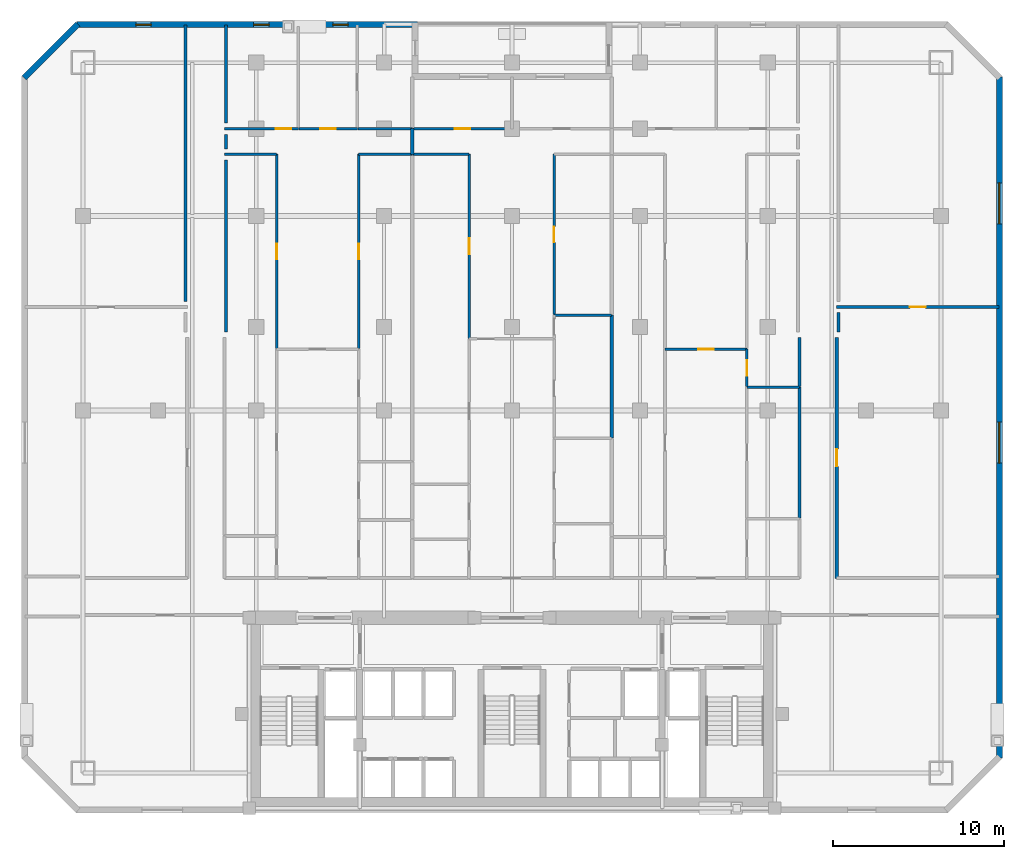
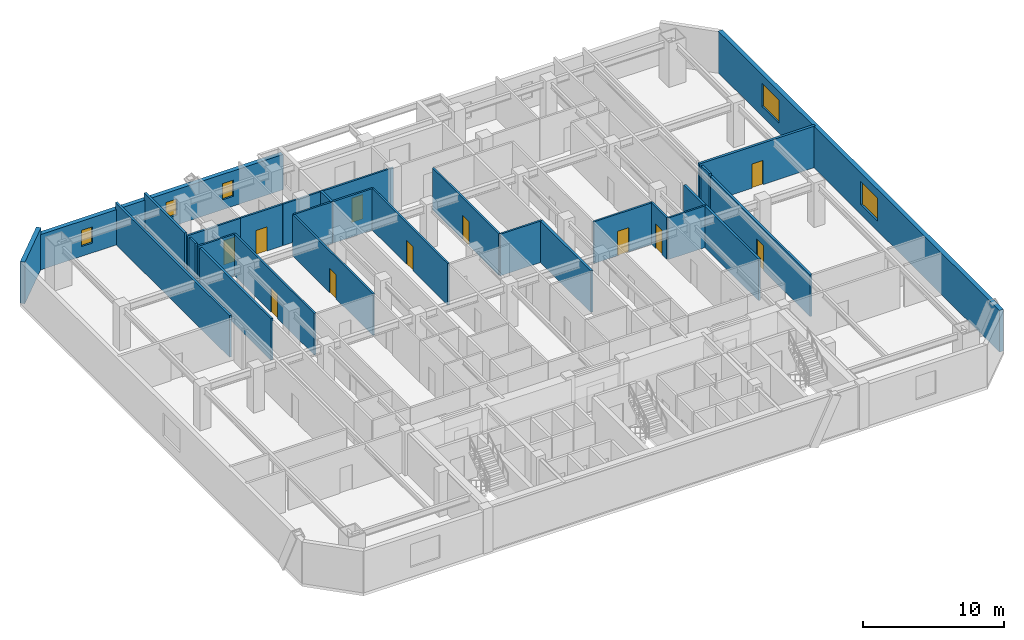
# One storey, part 6 of 9: 29 walls, 11 doors, 5 windows, 16 openings.
"""IFC4 building model written with IfcOpenShell, lengths in metres."""

import ifcopenshell
import ifcopenshell.guid

model = None  # the IFC model being written
_history = None  # IfcOwnerHistory: only IFC2X3 demands one
_inside = {}  # id of a spatial element -> (the spatial element, [elements in it])
_under = {}  # id of a project, library or spatial element -> (it, [spatial elements below it])
_declared = {}  # id of a project -> (the project, [libraries it declares])
_typed = {}  # id of a type object -> (the type object, [elements of that type])
_made_of = {}  # id of a material, layer set ... -> (it, [elements and type objects made of it])


def new_model(schema):
    """Start an empty IFC model of exactly this schema.

    Asked for "IFC4X3", IfcOpenShell would pick the latest addendum, in which some entities
    have other attributes; the version numbers below select the first issue.
    IFC2X3 requires an IfcOwnerHistory on every rooted entity: one is made here for all.
    """
    global model, _history
    if schema == "IFC4X3":
        model = ifcopenshell.file(schema_version=(4, 3, 0, 0))
    else:
        model = ifcopenshell.file(schema=schema)
    _inside.clear()
    _under.clear()
    _declared.clear()
    _typed.clear()
    _made_of.clear()
    _history = None
    if model.schema == "IFC2X3":
        org = make("IfcOrganization", Name="unknown")
        user = make(
            "IfcPersonAndOrganization",
            ThePerson=make("IfcPerson", FamilyName="unknown"),
            TheOrganization=org,
        )
        app = make(
            "IfcApplication",
            ApplicationDeveloper=org,
            Version="unknown",
            ApplicationFullName="unknown",
            ApplicationIdentifier="unknown",
        )
        _history = make(
            "IfcOwnerHistory",
            OwningUser=user,
            OwningApplication=app,
            ChangeAction="ADDED",
            CreationDate=0,
        )
    return model


def make(cls, **values):
    """One entity of the class cls with the attributes given. An attribute that is None is left unset."""
    return model.create_entity(
        cls, **{name: value for name, value in values.items() if value is not None}
    )


def rooted(cls, **values):
    """An entity with a GlobalId (a new one), such as an element, a storey or a relation."""
    return make(cls, GlobalId=ifcopenshell.guid.new(), OwnerHistory=_history, **values)


def si_unit(unit_type, name, prefix=None):
    """IfcSIUnit, for example si_unit("LENGTHUNIT", "METRE", prefix="MILLI")."""
    return make("IfcSIUnit", UnitType=unit_type, Prefix=prefix, Name=name)


def assignment(units):
    """IfcUnitAssignment: the units of a project."""
    return None if units is None else make("IfcUnitAssignment", Units=units)


def point(xyz):
    """IfcCartesianPoint."""
    return None if xyz is None else make("IfcCartesianPoint", Coordinates=xyz)


def direction(xyz):
    """IfcDirection."""
    return None if xyz is None else make("IfcDirection", DirectionRatios=xyz)


def frame(location, z_axis=None, x_axis=None):
    """IfcAxis2Placement3D, a coordinate frame: its origin and axes. An axis left out is left unset."""
    return make(
        "IfcAxis2Placement3D",
        Location=point(location),
        Axis=direction(z_axis),
        RefDirection=direction(x_axis),
    )


def frame_2d(location, x_axis=None):
    """IfcAxis2Placement2D, a coordinate frame in the plane: its origin and x axis."""
    return make(
        "IfcAxis2Placement2D", Location=point(location), RefDirection=direction(x_axis)
    )


def origin():
    """The frame at (0, 0, 0) with its axes left unset."""
    return frame((0.0, 0.0, 0.0))


def place(relative_to, where):
    """IfcLocalPlacement: puts the frame where relative to a parent placement (None: the world)."""
    return make(
        "IfcLocalPlacement", PlacementRelTo=relative_to, RelativePlacement=where
    )


def context(
    kind, dimensions, precision=None, world=None, true_north=None, identifier=None
):
    """IfcGeometricRepresentationContext, for example the 3D "Model" context."""
    return make(
        "IfcGeometricRepresentationContext",
        ContextIdentifier=identifier,
        ContextType=kind,
        CoordinateSpaceDimension=dimensions,
        Precision=precision,
        WorldCoordinateSystem=world,
        TrueNorth=true_north,
    )


def subcontext(parent, identifier, kind, view, scale=None):
    """IfcGeometricRepresentationSubContext, for example "Body" below "Model"."""
    return make(
        "IfcGeometricRepresentationSubContext",
        ContextIdentifier=identifier,
        ContextType=kind,
        ParentContext=parent,
        TargetScale=scale,
        TargetView=view,
    )


def project(units=None, contexts=None):
    """IfcProject with its units and contexts."""
    return rooted(
        "IfcProject",
        Name="project",
        RepresentationContexts=contexts,
        UnitsInContext=assignment(units),
    )


def spatial(cls, under=None, at=None, **own):
    """A site, building, storey or space (cls), placed at a placement, below another one or the project."""
    s = rooted(cls, ObjectPlacement=at, **own)
    if under is not None:
        _under.setdefault(under.id(), (under, []))[1].append(s)
    return s


def profile(cls, at=None, kind="AREA", **sizes):
    """A parametric profile (cls). Its sizes go by their IFC names, for example OverallWidth=200.0."""
    return make(cls, ProfileType=kind, Position=at, **sizes)


def rectangle(**sizes):
    """IfcRectangleProfileDef."""
    return profile("IfcRectangleProfileDef", **sizes)


def extrude(swept, where, along, depth):
    """IfcExtrudedAreaSolid: the profile swept, set in the frame where, extruded along a direction by depth."""
    return make(
        "IfcExtrudedAreaSolid",
        SweptArea=swept,
        Position=where,
        ExtrudedDirection=direction(along),
        Depth=depth,
    )


def shape(context_of_items, identifier, shape_type, items):
    """IfcShapeRepresentation: the items that make up one representation, for example the "Body"."""
    return make(
        "IfcShapeRepresentation",
        ContextOfItems=context_of_items,
        RepresentationIdentifier=identifier,
        RepresentationType=shape_type,
        Items=items,
    )


def material(Name=None, Category=None):
    """IfcMaterial."""
    return make("IfcMaterial", Name=Name, Category=Category)


def layer(
    of_material, thickness, ventilated=None, Name=None, Category=None, Priority=None
):
    """IfcMaterialLayer: one layer of a wall or slab, of a material (None: an air gap)."""
    return make(
        "IfcMaterialLayer",
        Material=of_material,
        LayerThickness=thickness,
        IsVentilated=ventilated,
        Name=Name,
        Category=Category,
        Priority=Priority,
    )


def layer_set(layers, Name=None):
    """IfcMaterialLayerSet."""
    return make("IfcMaterialLayerSet", MaterialLayers=layers, LayerSetName=Name)


def made_of(thing, what):
    """Note that an element or type object is made of a material, layer set ...; save() writes the relation."""
    if what is not None:
        _made_of.setdefault(what.id(), (what, []))[1].append(thing)
    return thing


def type_object(cls, material=None, **own):
    """A type object (cls), such as IfcWallType, which elements share."""
    return made_of(rooted(cls, **own), material)


def element(
    cls,
    number,
    at=None,
    inside=None,
    cuts=None,
    type_object=None,
    material=None,
    context=None,
    identifier="Body",
    shape_type=None,
    held_by="IfcProductDefinitionShape",
    body=None,
    shapes=None,
    **own,
):
    """One element of the class cls, such as IfcWall. Its Tag is "e" and its number.

    at: its placement. inside: the storey or other place that contains it. cuts: it is an
    opening in that element (IfcRelVoidsElement). A single representation is given by context,
    identifier, shape_type and body (its items); several are given by shapes. held_by: the class
    of the entity that holds the representations. save() writes the other relations.
    """
    e = rooted(cls, Tag="e%d" % number, ObjectPlacement=at, **own)
    if body is not None:
        shapes = [shape(context, identifier, shape_type, body)]
    if shapes is not None:
        e.Representation = make(held_by, Representations=shapes)
    if inside is not None:
        _inside.setdefault(inside.id(), (inside, []))[1].append(e)
    if cuts is not None:
        rooted(
            "IfcRelVoidsElement", RelatingBuildingElement=cuts, RelatedOpeningElement=e
        )
    if type_object is not None:
        _typed.setdefault(type_object.id(), (type_object, []))[1].append(e)
    return made_of(e, material)


def fill(opening, filler):
    """IfcRelFillsElement: the door or window that sits in an opening."""
    return rooted(
        "IfcRelFillsElement",
        RelatingOpeningElement=opening,
        RelatedBuildingElement=filler,
    )


def aggregate(whole, parts):
    """IfcRelAggregates: a whole, such as a stair, and the parts it consists of."""
    return rooted("IfcRelAggregates", RelatingObject=whole, RelatedObjects=parts)


def save(model, path):
    """Write the relations noted so far, then the file.

    IfcRelAggregates (storeys below a building ...), IfcRelContainedInSpatialStructure (elements
    in a storey), IfcRelDefinesByType, IfcRelAssociatesMaterial and IfcRelDeclares: one each for
    every whole, place, type object, material and project.
    """
    for whole, parts in _under.values():
        aggregate(whole, parts)
    for where, things in _inside.values():
        rooted(
            "IfcRelContainedInSpatialStructure",
            RelatedElements=things,
            RelatingStructure=where,
        )
    for kind, things in _typed.values():
        rooted("IfcRelDefinesByType", RelatedObjects=things, RelatingType=kind)
    for what, things in _made_of.values():
        rooted("IfcRelAssociatesMaterial", RelatedObjects=things, RelatingMaterial=what)
    for by, libraries in _declared.values():
        rooted("IfcRelDeclares", RelatingContext=by, RelatedDefinitions=libraries)
    model.write(path)


model = new_model("IFC4")

# Units and contexts
model_context = context("Model", 3, precision=1e-05, world=origin(), true_north=direction((0.0, 1.0)))
body_context = subcontext(model_context, "Body", "Model", "MODEL_VIEW")
ifc_project = project(units=[si_unit("LENGTHUNIT", "METRE"), si_unit("AREAUNIT", "SQUARE_METRE"), si_unit("VOLUMEUNIT", "CUBIC_METRE"), si_unit("PLANEANGLEUNIT", "RADIAN"), si_unit("MASSUNIT", "GRAM", prefix="KILO")], contexts=[model_context])

# Site, building, storey
site_placement = place(None, origin())
site = spatial("IfcSite", under=ifc_project, at=site_placement, CompositionType="ELEMENT")
building_placement = place(site_placement, origin())
building = spatial("IfcBuilding", under=site, at=building_placement, Name="Ventersveld Concourse Tower", CompositionType="ELEMENT")
storey_placement = place(building_placement, frame((0.0, 0.0, 52.89990234375)))
storey = spatial("IfcBuildingStorey", under=building, at=storey_placement, Name="L12", CompositionType="ELEMENT", Elevation=52.89990234375)

# Wall, opening, door
ifc_material_1 = material(Name="Fire-rated autoclaved aerated masonry blockwork", Category="masonry")
ifc_layer_1 = layer(ifc_material_1, 0.179931640625)
ifc_layer_set_1 = layer_set([ifc_layer_1], Name="Fire-rated autoclaved aerated masonry blockwork")
wall_type_1 = type_object("IfcWallType", Name="WL-CORR-180", PredefinedType="PARTITIONING", material=ifc_layer_set_1)
wall_1_placement = place(storey_placement, frame((47.7900390625, 13.764892578125, 0.0), z_axis=(0.0, 0.0, 1.0), x_axis=(0.0, 1.0, 0.0)))
wall_1 = element("IfcWall", 1, at=wall_1_placement, inside=storey, type_object=wall_type_1, Name="L12 Interior Partition SP-L12-COR-SP-L12-NELNG1", PredefinedType="PARTITIONING", context=body_context, shape_type="SweptSolid", body=[
    extrude(rectangle(XDim=14.130126953125, YDim=0.179931640625, at=frame_2d((7.06494140625, 0.0))), origin(), (0.0, 0.0, 1.0), 3.60009765625),
])
opening_1_placement = place(wall_1_placement, frame((6.56494140625, 0.0, 0.0)))
opening_1 = element("IfcOpeningElement", 2, at=opening_1_placement, cuts=wall_1, Name="Opening FD3", PredefinedType="OPENING", context=body_context, shape_type="SweptSolid", body=[
    extrude(rectangle(XDim=1.0, YDim=2.14990234375, at=frame_2d((0.5, 1.074951171875))), frame((0.0, 0.10009765625, 0.0), z_axis=(0.0, -1.0, 0.0), x_axis=(1.0, 0.0, 0.0)), (0.0, 0.0, 1.0), 0.199951171875),
])
ifc_material_2 = material(Name="Solid-core hardwood veneer timber", Category="wood")
door_type_1 = type_object("IfcDoorType", Name="DR-FLAT-100", OperationType="NOTDEFINED", PredefinedType="DOOR", material=ifc_material_2)
door_1_placement = place(opening_1_placement, origin())
door_1 = element("IfcDoor", 3, at=door_1_placement, inside=storey, type_object=door_type_1, Name="L12 Interior Door SP-L12-COR to SP-L12-NELNG1 (D-L12-0490)", OperationType="SINGLE_SWING_RIGHT", OverallHeight=2.14990234375, OverallWidth=1.0, PredefinedType="DOOR", context=body_context, shape_type="SweptSolid", body=[
    extrude(rectangle(XDim=1.0, YDim=2.14990234375, at=frame_2d((0.5, 1.074951171875))), frame((0.0, 0.02490234375, 0.0), z_axis=(0.0, -1.0, 0.0), x_axis=(1.0, 0.0, 0.0)), (0.0, 0.0, 1.0), 0.050048828125),
])
fill(opening_1, door_1)

# Walls
wall_2_placement = place(storey_placement, frame((45.610107421875, 17.290283203125, 0.0), z_axis=(0.0, 0.0, 1.0), x_axis=(0.0, 1.0, 0.0)))
element("IfcWall", 4, at=wall_2_placement, inside=storey, type_object=wall_type_1, Name="L12 Interior Partition SP-L12-COR-SP-L12-12CE-MEDR1", PredefinedType="PARTITIONING", context=body_context, shape_type="SweptSolid", body=[
    extrude(rectangle(XDim=7.681396484375, YDim=0.179931640625, at=frame_2d((3.8408203125, 0.0))), origin(), (0.0, 0.0, 1.0), 3.60009765625),
])
wall_3_placement = place(storey_placement, frame((45.610107421875, 25.001708984375, 0.0), z_axis=(0.0, 0.0, 1.0), x_axis=(0.0, 1.0, 0.0)))
element("IfcWall", 5, at=wall_3_placement, inside=storey, type_object=wall_type_1, Name="L12 Interior Partition SP-L12-COR-SP-L12-12CE-DENS", PredefinedType="PARTITIONING", context=body_context, shape_type="SweptSolid", body=[
    extrude(rectangle(XDim=2.893310546875, YDim=0.179931640625, at=frame_2d((1.44677734375, 0.0))), origin(), (0.0, 0.0, 1.0), 3.60009765625),
])
wall_4_placement = place(storey_placement, frame((9.6201171875, 46.18994140625, 0.0), z_axis=(0.0, 0.0, 1.0), x_axis=(0.0, -1.0, 0.0)))
element("IfcWall", 6, at=wall_4_placement, inside=storey, type_object=wall_type_1, Name="L12 Room Enclosure Wall SP-L12-NWLNG2", PredefinedType="PARTITIONING", context=body_context, shape_type="SweptSolid", body=[
    extrude(rectangle(XDim=16.19482421875, YDim=0.179931640625, at=frame_2d((8.097412109375, 0.0))), origin(), (0.0, 0.0, 1.0), 3.60009765625),
])
wall_5_placement = place(storey_placement, frame((47.8798828125, 28.2099609375, 0.0), z_axis=(0.0, 0.0, 1.0), x_axis=(0.0, 1.0, 0.0)))
element("IfcWall", 7, at=wall_5_placement, inside=storey, type_object=wall_type_1, Name="L12 Room Enclosure Wall SP-L12-NELNG1", PredefinedType="PARTITIONING", context=body_context, shape_type="SweptSolid", body=[
    extrude(rectangle(XDim=1.135009765625, YDim=0.179931640625, at=frame_2d((0.5673828125, 0.0))), origin(), (0.0, 0.0, 1.0), 3.60009765625),
])
wall_6_placement = place(storey_placement, frame((11.97998046875, 38.945068359375, 0.0), z_axis=(0.0, 0.0, 1.0), x_axis=(0.0, 1.0, 0.0)))
element("IfcWall", 8, at=wall_6_placement, inside=storey, type_object=wall_type_1, Name="L12 Room Enclosure Wall SP-L12-12CW-LIV", PredefinedType="PARTITIONING", context=body_context, shape_type="SweptSolid", body=[
    extrude(rectangle(XDim=0.849853515625, YDim=0.179931640625, at=frame_2d((0.4248046875, 0.0))), origin(), (0.0, 0.0, 1.0), 3.60009765625),
])
wall_7_placement = place(storey_placement, frame((11.97998046875, 28.2099609375, 0.0), z_axis=(0.0, 0.0, 1.0), x_axis=(0.0, 1.0, 0.0)))
element("IfcWall", 9, at=wall_7_placement, inside=storey, type_object=wall_type_1, Name="L12 Room Enclosure Wall SP-L12-12CW-OFFL0", PredefinedType="PARTITIONING", context=body_context, shape_type="SweptSolid", body=[
    extrude(rectangle(XDim=10.0849609375, YDim=0.179931640625, at=frame_2d((5.04248046875, 0.0))), origin(), (0.0, 0.0, 1.0), 3.60009765625),
])
wall_8_placement = place(storey_placement, frame((11.97998046875, 40.445068359375, 0.0), z_axis=(0.0, 0.0, 1.0), x_axis=(0.0, 1.0, 0.0)))
element("IfcWall", 10, at=wall_8_placement, inside=storey, type_object=wall_type_1, Name="L12 Room Enclosure Wall SP-L12-12CW-BR1", PredefinedType="PARTITIONING", context=body_context, shape_type="SweptSolid", body=[
    extrude(rectangle(XDim=5.744873046875, YDim=0.179931640625, at=frame_2d((2.87255859375, 0.0))), origin(), (0.0, 0.0, 1.0), 3.60009765625),
])

# Wall, opening, door
ifc_layer_2 = layer(ifc_material_1, 0.199951171875)
ifc_layer_set_2 = layer_set([ifc_layer_2], Name="Fire-rated autoclaved aerated masonry blockwork")
wall_type_2 = type_object("IfcWallType", Name="WL-DEMISE-200", PredefinedType="PARTITIONING", material=ifc_layer_set_2)
wall_9_placement = place(storey_placement, frame((47.784912109375, 29.669921875, 0.0), z_axis=(0.0, 0.0, 1.0), x_axis=(1.0, 0.0, 0.0)))
wall_9 = element("IfcWall", 11, at=wall_9_placement, inside=storey, type_object=wall_type_2, Name="L12 Interior Partition SP-L12-NELNG1-SP-L12-NELNG2", PredefinedType="PARTITIONING", context=body_context, shape_type="SweptSolid", body=[
    extrude(rectangle(XDim=9.505126953125, YDim=0.199951171875, at=frame_2d((4.75244140625, 0.0))), origin(), (0.0, 0.0, 1.0), 3.60009765625),
])
opening_2_placement = place(wall_9_placement, frame((4.29248046875, 0.0, 0.0)))
opening_2 = element("IfcOpeningElement", 12, at=opening_2_placement, cuts=wall_9, Name="Opening ID1", PredefinedType="OPENING", context=body_context, shape_type="SweptSolid", body=[
    extrude(rectangle(XDim=0.919921875, YDim=2.10009765625, at=frame_2d((0.4599609375, 1.050048828125))), frame((0.0, 0.10986328125, 0.0), z_axis=(0.0, -1.0, 0.0), x_axis=(1.0, 0.0, 0.0)), (0.0, 0.0, 1.0), 0.219970703125),
])
door_type_2 = type_object("IfcDoorType", Name="DR-ROOM-092", OperationType="NOTDEFINED", PredefinedType="DOOR", material=ifc_material_2)
door_2_placement = place(opening_2_placement, origin())
door_2 = element("IfcDoor", 13, at=door_2_placement, inside=storey, type_object=door_type_2, Name="L12 Interior Door SP-L12-NELNG1 to SP-L12-NELNG2 (D-L12-0495)", OperationType="SINGLE_SWING_LEFT", OverallHeight=2.10009765625, OverallWidth=0.919921875, PredefinedType="DOOR", context=body_context, shape_type="SweptSolid", body=[
    extrude(rectangle(XDim=0.919921875, YDim=2.10009765625, at=frame_2d((0.4599609375, 1.050048828125))), frame((0.0, 0.02490234375, 0.0), z_axis=(0.0, -1.0, 0.0), x_axis=(1.0, 0.0, 0.0)), (0.0, 0.0, 1.0), 0.050048828125),
])
fill(opening_2, door_2)

# Walls
wall_10_placement = place(storey_placement, frame((22.909912109375, 38.614990234375, 0.0), z_axis=(0.0, 0.0, 1.0), x_axis=(0.0, 1.0, 0.0)))
element("IfcWall", 14, at=wall_10_placement, inside=storey, type_object=wall_type_2, Name="L12 Interior Partition SP-L12-12CW-LIV-SP-L12-12CM-LIV", PredefinedType="PARTITIONING", context=body_context, shape_type="SweptSolid", body=[
    extrude(rectangle(XDim=1.510009765625, YDim=0.199951171875, at=frame_2d((0.7548828125, 0.0))), origin(), (0.0, 0.0, 1.0), 3.60009765625),
])
wall_11_placement = place(storey_placement, frame((34.590087890625, 21.99658203125, 0.0), z_axis=(0.0, 0.0, 1.0), x_axis=(0.0, 1.0, 0.0)))
element("IfcWall", 15, at=wall_11_placement, inside=storey, type_object=wall_type_2, Name="L12 Interior Partition SP-L12-12CE-OFFL0-SP-L12-12CM-DENS", PredefinedType="PARTITIONING", context=body_context, shape_type="SweptSolid", body=[
    extrude(rectangle(XDim=7.197021484375, YDim=0.199951171875, at=frame_2d((3.5986328125, 0.0))), origin(), (0.0, 0.0, 1.0), 3.60009765625),
])

# Wall, opening, door
ifc_material_3 = material(Name="Autoclaved aerated masonry blockwork", Category="masonry")
ifc_layer_3 = layer(ifc_material_3, 0.14990234375)
ifc_layer_set_3 = layer_set([ifc_layer_3], Name="Autoclaved aerated masonry blockwork")
wall_type_3 = type_object("IfcWallType", Name="WL-INT-150", PredefinedType="PARTITIONING", material=ifc_layer_set_3)
wall_12_placement = place(storey_placement, frame((14.95166015625, 27.2294921875, 0.0), z_axis=(0.0, 0.0, 1.0), x_axis=(0.0, 1.0, 0.0)))
wall_12 = element("IfcWall", 16, at=wall_12_placement, inside=storey, type_object=wall_type_3, Name="L12 Interior Partition SP-L12-12CW-LIV-SP-L12-12CW-OFFL0", PredefinedType="PARTITIONING", context=body_context, shape_type="SweptSolid", body=[
    extrude(rectangle(XDim=11.3955078125, YDim=0.14990234375, at=frame_2d((5.69775390625, 0.0))), origin(), (0.0, 0.0, 1.0), 3.60009765625),
])
opening_3_placement = place(wall_12_placement, frame((5.23779296875, 0.0, 0.0)))
opening_3 = element("IfcOpeningElement", 17, at=opening_3_placement, cuts=wall_12, Name="Opening ID1", PredefinedType="OPENING", context=body_context, shape_type="SweptSolid", body=[
    extrude(rectangle(XDim=0.919921875, YDim=2.10009765625, at=frame_2d((0.4599609375, 1.050048828125))), frame((0.0, 0.0849609375, 0.0), z_axis=(0.0, -1.0, 0.0), x_axis=(1.0, 0.0, 0.0)), (0.0, 0.0, 1.0), 0.169921875),
])
door_3_placement = place(opening_3_placement, origin())
door_3 = element("IfcDoor", 18, at=door_3_placement, inside=storey, type_object=door_type_2, Name="L12 Interior Door SP-L12-12CW-LIV to SP-L12-12CW-OFFL0 (D-L12-0502)", OperationType="SINGLE_SWING_RIGHT", OverallHeight=2.10009765625, OverallWidth=0.919921875, PredefinedType="DOOR", context=body_context, shape_type="SweptSolid", body=[
    extrude(rectangle(XDim=0.919921875, YDim=2.10009765625, at=frame_2d((0.4599609375, 1.050048828125))), frame((0.0, 0.02490234375, 0.0), z_axis=(0.0, -1.0, 0.0), x_axis=(1.0, 0.0, 0.0)), (0.0, 0.0, 1.0), 0.050048828125),
])
fill(opening_3, door_3)

# Wall
wall_13_placement = place(storey_placement, frame((11.885009765625, 38.6201171875, 0.0), z_axis=(0.0, 0.0, 1.0), x_axis=(1.0, 0.0, 0.0)))
element("IfcWall", 19, at=wall_13_placement, inside=storey, type_object=wall_type_3, Name="L12 Interior Partition SP-L12-12CW-LIV-SP-L12-12CW-OFFL0", PredefinedType="PARTITIONING", context=body_context, shape_type="SweptSolid", body=[
    extrude(rectangle(XDim=3.07177734375, YDim=0.14990234375, at=frame_2d((1.535888671875, 0.0))), origin(), (0.0, 0.0, 1.0), 3.60009765625),
])

# Wall, opening, door
wall_14_placement = place(storey_placement, frame((19.758056640625, 27.2294921875, 0.0), z_axis=(0.0, 0.0, 1.0), x_axis=(0.0, 1.0, 0.0)))
wall_14 = element("IfcWall", 20, at=wall_14_placement, inside=storey, type_object=wall_type_3, Name="L12 Interior Partition SP-L12-12CW-LIV-SP-L12-12CW-DENR", PredefinedType="PARTITIONING", context=body_context, shape_type="SweptSolid", body=[
    extrude(rectangle(XDim=11.3955078125, YDim=0.14990234375, at=frame_2d((5.69775390625, 0.0))), origin(), (0.0, 0.0, 1.0), 3.60009765625),
])
opening_4_placement = place(wall_14_placement, frame((5.23779296875, 0.0, 0.0)))
opening_4 = element("IfcOpeningElement", 21, at=opening_4_placement, cuts=wall_14, Name="Opening ID1", PredefinedType="OPENING", context=body_context, shape_type="SweptSolid", body=[
    extrude(rectangle(XDim=0.919921875, YDim=2.10009765625, at=frame_2d((0.4599609375, 1.050048828125))), frame((0.0, 0.0849609375, 0.0), z_axis=(0.0, -1.0, 0.0), x_axis=(1.0, 0.0, 0.0)), (0.0, 0.0, 1.0), 0.169921875),
])
door_4_placement = place(opening_4_placement, origin())
door_4 = element("IfcDoor", 22, at=door_4_placement, inside=storey, type_object=door_type_2, Name="L12 Interior Door SP-L12-12CW-LIV to SP-L12-12CW-DENR (D-L12-0503)", OperationType="SINGLE_SWING_LEFT", OverallHeight=2.10009765625, OverallWidth=0.919921875, PredefinedType="DOOR", context=body_context, shape_type="SweptSolid", body=[
    extrude(rectangle(XDim=0.919921875, YDim=2.10009765625, at=frame_2d((0.4599609375, 1.050048828125))), frame((0.0, 0.02490234375, 0.0), z_axis=(0.0, -1.0, 0.0), x_axis=(1.0, 0.0, 0.0)), (0.0, 0.0, 1.0), 0.050048828125),
])
fill(opening_4, door_4)

# Wall
wall_15_placement = place(storey_placement, frame((19.753173828125, 38.6201171875, 0.0), z_axis=(0.0, 0.0, 1.0), x_axis=(1.0, 0.0, 0.0)))
element("IfcWall", 23, at=wall_15_placement, inside=storey, type_object=wall_type_3, Name="L12 Interior Partition SP-L12-12CW-LIV-SP-L12-12CW-DENR", PredefinedType="PARTITIONING", context=body_context, shape_type="SweptSolid", body=[
    extrude(rectangle(XDim=3.161865234375, YDim=0.14990234375, at=frame_2d((1.5810546875, 0.0))), origin(), (0.0, 0.0, 1.0), 3.60009765625),
])

# Wall, opening, door
wall_16_placement = place(storey_placement, frame((11.885009765625, 40.1201171875, 0.0), z_axis=(0.0, 0.0, 1.0), x_axis=(1.0, 0.0, 0.0)))
wall_16 = element("IfcWall", 24, at=wall_16_placement, inside=storey, type_object=wall_type_3, Name="L12 Interior Partition SP-L12-12CW-LIV-SP-L12-12CW-BR1", PredefinedType="PARTITIONING", context=body_context, shape_type="SweptSolid", body=[
    extrude(rectangle(XDim=4.33837890625, YDim=0.14990234375, at=frame_2d((2.169189453125, 0.0))), origin(), (0.0, 0.0, 1.0), 3.60009765625),
])
opening_5_placement = place(wall_16_placement, frame((3.010498046875, 0.0, 0.0)))
opening_5 = element("IfcOpeningElement", 25, at=opening_5_placement, cuts=wall_16, Name="Opening ID1", PredefinedType="OPENING", context=body_context, shape_type="SweptSolid", body=[
    extrude(rectangle(XDim=0.919921875, YDim=2.10009765625, at=frame_2d((0.4599609375, 1.050048828125))), frame((0.0, 0.0849609375, 0.0), z_axis=(0.0, -1.0, 0.0), x_axis=(1.0, 0.0, 0.0)), (0.0, 0.0, 1.0), 0.169921875),
])
door_5_placement = place(opening_5_placement, origin())
door_5 = element("IfcDoor", 26, at=door_5_placement, inside=storey, type_object=door_type_2, Name="L12 Interior Door SP-L12-12CW-LIV to SP-L12-12CW-BR1 (D-L12-0504)", OperationType="SINGLE_SWING_RIGHT", OverallHeight=2.10009765625, OverallWidth=0.919921875, PredefinedType="DOOR", context=body_context, shape_type="SweptSolid", body=[
    extrude(rectangle(XDim=0.919921875, YDim=2.10009765625, at=frame_2d((0.4599609375, 1.050048828125))), frame((0.0, 0.02490234375, 0.0), z_axis=(0.0, -1.0, 0.0), x_axis=(1.0, 0.0, 0.0)), (0.0, 0.0, 1.0), 0.050048828125),
])
fill(opening_5, door_5)

wall_17_placement = place(storey_placement, frame((16.25341796875, 40.1201171875, 0.0), z_axis=(0.0, 0.0, 1.0), x_axis=(1.0, 0.0, 0.0)))
wall_17 = element("IfcWall", 27, at=wall_17_placement, inside=storey, type_object=wall_type_3, Name="L12 Interior Partition SP-L12-12CW-LIV-SP-L12-12CW-BR2", PredefinedType="PARTITIONING", context=body_context, shape_type="SweptSolid", body=[
    extrude(rectangle(XDim=3.4248046875, YDim=0.14990234375, at=frame_2d((1.71240234375, 0.0))), origin(), (0.0, 0.0, 1.0), 3.60009765625),
])
opening_6_placement = place(wall_17_placement, frame((1.25244140625, 0.0, 0.0)))
opening_6 = element("IfcOpeningElement", 28, at=opening_6_placement, cuts=wall_17, Name="Opening ID1", PredefinedType="OPENING", context=body_context, shape_type="SweptSolid", body=[
    extrude(rectangle(XDim=0.919921875, YDim=2.10009765625, at=frame_2d((0.4599609375, 1.050048828125))), frame((0.0, 0.0849609375, 0.0), z_axis=(0.0, -1.0, 0.0), x_axis=(1.0, 0.0, 0.0)), (0.0, 0.0, 1.0), 0.169921875),
])
door_6_placement = place(opening_6_placement, origin())
door_6 = element("IfcDoor", 29, at=door_6_placement, inside=storey, type_object=door_type_2, Name="L12 Interior Door SP-L12-12CW-LIV to SP-L12-12CW-BR2 (D-L12-0505)", OperationType="SINGLE_SWING_LEFT", OverallHeight=2.10009765625, OverallWidth=0.919921875, PredefinedType="DOOR", context=body_context, shape_type="SweptSolid", body=[
    extrude(rectangle(XDim=0.919921875, YDim=2.10009765625, at=frame_2d((0.4599609375, 1.050048828125))), frame((0.0, 0.02490234375, 0.0), z_axis=(0.0, -1.0, 0.0), x_axis=(1.0, 0.0, 0.0)), (0.0, 0.0, 1.0), 0.050048828125),
])
fill(opening_6, door_6)

# Wall
wall_18_placement = place(storey_placement, frame((19.708251953125, 40.1201171875, 0.0), z_axis=(0.0, 0.0, 1.0), x_axis=(1.0, 0.0, 0.0)))
element("IfcWall", 30, at=wall_18_placement, inside=storey, type_object=wall_type_3, Name="L12 Interior Partition SP-L12-12CW-LIV-SP-L12-12CW-BR3", PredefinedType="PARTITIONING", context=body_context, shape_type="SweptSolid", body=[
    extrude(rectangle(XDim=3.206787109375, YDim=0.14990234375, at=frame_2d((1.603515625, 0.0))), origin(), (0.0, 0.0, 1.0), 3.60009765625),
])

# Wall, opening, door
wall_19_placement = place(storey_placement, frame((37.71435546875, 27.194580078125, 0.0), z_axis=(0.0, 0.0, 1.0), x_axis=(1.0, 0.0, 0.0)))
wall_19 = element("IfcWall", 31, at=wall_19_placement, inside=storey, type_object=wall_type_3, Name="L12 Interior Partition SP-L12-12CE-FOY-SP-L12-12CE-LIV", PredefinedType="PARTITIONING", context=body_context, shape_type="SweptSolid", body=[
    extrude(rectangle(XDim=4.81640625, YDim=0.14990234375, at=frame_2d((2.408203125, 0.0))), origin(), (0.0, 0.0, 1.0), 3.60009765625),
])
opening_7_placement = place(wall_19_placement, frame((1.9482421875, 0.0, 0.0)))
opening_7 = element("IfcOpeningElement", 32, at=opening_7_placement, cuts=wall_19, Name="Opening ID1", PredefinedType="OPENING", context=body_context, shape_type="SweptSolid", body=[
    extrude(rectangle(XDim=0.919921875, YDim=2.10009765625, at=frame_2d((0.4599609375, 1.050048828125))), frame((0.0, 0.0849609375, 0.0), z_axis=(0.0, -1.0, 0.0), x_axis=(1.0, 0.0, 0.0)), (0.0, 0.0, 1.0), 0.169921875),
])
door_7_placement = place(opening_7_placement, origin())
door_7 = element("IfcDoor", 33, at=door_7_placement, inside=storey, type_object=door_type_2, Name="L12 Interior Door SP-L12-12CE-FOY to SP-L12-12CE-LIV (D-L12-0507)", OperationType="SINGLE_SWING_LEFT", OverallHeight=2.10009765625, OverallWidth=0.919921875, PredefinedType="DOOR", context=body_context, shape_type="SweptSolid", body=[
    extrude(rectangle(XDim=0.919921875, YDim=2.10009765625, at=frame_2d((0.4599609375, 1.050048828125))), frame((0.0, 0.02490234375, 0.0), z_axis=(0.0, -1.0, 0.0), x_axis=(1.0, 0.0, 0.0)), (0.0, 0.0, 1.0), 0.050048828125),
])
fill(opening_7, door_7)

wall_20_placement = place(storey_placement, frame((42.525634765625, 25.001708984375, 0.0), z_axis=(0.0, 0.0, 1.0), x_axis=(0.0, 1.0, 0.0)))
wall_20 = element("IfcWall", 34, at=wall_20_placement, inside=storey, type_object=wall_type_3, Name="L12 Interior Partition SP-L12-12CE-FOY-SP-L12-12CE-DENS", PredefinedType="PARTITIONING", context=body_context, shape_type="SweptSolid", body=[
    extrude(rectangle(XDim=2.197998046875, YDim=0.14990234375, at=frame_2d((1.09912109375, 0.0))), origin(), (0.0, 0.0, 1.0), 3.60009765625),
])
opening_8_placement = place(wall_20_placement, frame((0.638916015625, 0.0, 0.0)))
opening_8 = element("IfcOpeningElement", 35, at=opening_8_placement, cuts=wall_20, Name="Opening ID1", PredefinedType="OPENING", context=body_context, shape_type="SweptSolid", body=[
    extrude(rectangle(XDim=0.919921875, YDim=2.10009765625, at=frame_2d((0.4599609375, 1.050048828125))), frame((0.0, 0.0849609375, 0.0), z_axis=(0.0, -1.0, 0.0), x_axis=(1.0, 0.0, 0.0)), (0.0, 0.0, 1.0), 0.169921875),
])
door_8_placement = place(opening_8_placement, origin())
door_8 = element("IfcDoor", 36, at=door_8_placement, inside=storey, type_object=door_type_2, Name="L12 Interior Door SP-L12-12CE-FOY to SP-L12-12CE-DENS (D-L12-0512)", OperationType="SINGLE_SWING_RIGHT", OverallHeight=2.10009765625, OverallWidth=0.919921875, PredefinedType="DOOR", context=body_context, shape_type="SweptSolid", body=[
    extrude(rectangle(XDim=0.919921875, YDim=2.10009765625, at=frame_2d((0.4599609375, 1.050048828125))), frame((0.0, 0.02490234375, 0.0), z_axis=(0.0, -1.0, 0.0), x_axis=(1.0, 0.0, 0.0)), (0.0, 0.0, 1.0), 0.050048828125),
])
fill(opening_8, door_8)

# Wall
wall_21_placement = place(storey_placement, frame((42.520751953125, 24.966552734375, 0.0), z_axis=(0.0, 0.0, 1.0), x_axis=(1.0, 0.0, 0.0)))
element("IfcWall", 37, at=wall_21_placement, inside=storey, type_object=wall_type_3, Name="L12 Interior Partition SP-L12-12CE-MEDR1-SP-L12-12CE-DENS", PredefinedType="PARTITIONING", context=body_context, shape_type="SweptSolid", body=[
    extrude(rectangle(XDim=3.09423828125, YDim=0.14990234375, at=frame_2d((1.547119140625, 0.0))), origin(), (0.0, 0.0, 1.0), 3.60009765625),
])

# Wall, opening, door
wall_22_placement = place(storey_placement, frame((26.236083984375, 27.830810546875, 0.0), z_axis=(0.0, 0.0, 1.0), x_axis=(0.0, 1.0, 0.0)))
wall_22 = element("IfcWall", 38, at=wall_22_placement, inside=storey, type_object=wall_type_3, Name="L12 Interior Partition SP-L12-12CM-LIV-SP-L12-12CM-DENL", PredefinedType="PARTITIONING", context=body_context, shape_type="SweptSolid", body=[
    extrude(rectangle(XDim=10.794189453125, YDim=0.14990234375, at=frame_2d((5.39697265625, 0.0))), origin(), (0.0, 0.0, 1.0), 3.60009765625),
])
opening_9_placement = place(wall_22_placement, frame((4.93701171875, 0.0, 0.0)))
opening_9 = element("IfcOpeningElement", 39, at=opening_9_placement, cuts=wall_22, Name="Opening ID1", PredefinedType="OPENING", context=body_context, shape_type="SweptSolid", body=[
    extrude(rectangle(XDim=0.919921875, YDim=2.10009765625, at=frame_2d((0.4599609375, 1.050048828125))), frame((0.0, 0.0849609375, 0.0), z_axis=(0.0, -1.0, 0.0), x_axis=(1.0, 0.0, 0.0)), (0.0, 0.0, 1.0), 0.169921875),
])
door_9_placement = place(opening_9_placement, origin())
door_9 = element("IfcDoor", 40, at=door_9_placement, inside=storey, type_object=door_type_2, Name="L12 Interior Door SP-L12-12CM-LIV to SP-L12-12CM-DENL (D-L12-0524)", OperationType="SINGLE_SWING_RIGHT", OverallHeight=2.10009765625, OverallWidth=0.919921875, PredefinedType="DOOR", context=body_context, shape_type="SweptSolid", body=[
    extrude(rectangle(XDim=0.919921875, YDim=2.10009765625, at=frame_2d((0.4599609375, 1.050048828125))), frame((0.0, 0.02490234375, 0.0), z_axis=(0.0, -1.0, 0.0), x_axis=(1.0, 0.0, 0.0)), (0.0, 0.0, 1.0), 0.050048828125),
])
fill(opening_9, door_9)

# Wall
wall_23_placement = place(storey_placement, frame((22.945068359375, 38.6201171875, 0.0), z_axis=(0.0, 0.0, 1.0), x_axis=(1.0, 0.0, 0.0)))
element("IfcWall", 41, at=wall_23_placement, inside=storey, type_object=wall_type_3, Name="L12 Interior Partition SP-L12-12CM-LIV-SP-L12-12CM-DENL", PredefinedType="PARTITIONING", context=body_context, shape_type="SweptSolid", body=[
    extrude(rectangle(XDim=3.296142578125, YDim=0.14990234375, at=frame_2d((1.64794921875, 0.0))), origin(), (0.0, 0.0, 1.0), 3.60009765625),
])

# Wall, opening, door
wall_24_placement = place(storey_placement, frame((31.216064453125, 29.223388671875, 0.0), z_axis=(0.0, 0.0, 1.0), x_axis=(0.0, 1.0, 0.0)))
wall_24 = element("IfcWall", 42, at=wall_24_placement, inside=storey, type_object=wall_type_3, Name="L12 Interior Partition SP-L12-12CM-LIV-SP-L12-12CM-DENS2", PredefinedType="PARTITIONING", context=body_context, shape_type="SweptSolid", body=[
    extrude(rectangle(XDim=9.401611328125, YDim=0.14990234375, at=frame_2d((4.70068359375, 0.0))), origin(), (0.0, 0.0, 1.0), 3.60009765625),
])
opening_10_placement = place(wall_24_placement, frame((4.24072265625, 0.0, 0.0)))
opening_10 = element("IfcOpeningElement", 43, at=opening_10_placement, cuts=wall_24, Name="Opening ID1", PredefinedType="OPENING", context=body_context, shape_type="SweptSolid", body=[
    extrude(rectangle(XDim=0.919921875, YDim=2.10009765625, at=frame_2d((0.4599609375, 1.050048828125))), frame((0.0, 0.0849609375, 0.0), z_axis=(0.0, -1.0, 0.0), x_axis=(1.0, 0.0, 0.0)), (0.0, 0.0, 1.0), 0.169921875),
])
door_10_placement = place(opening_10_placement, origin())
door_10 = element("IfcDoor", 44, at=door_10_placement, inside=storey, type_object=door_type_2, Name="L12 Interior Door SP-L12-12CM-LIV to SP-L12-12CM-DENS2 (D-L12-0526)", OperationType="SINGLE_SWING_RIGHT", OverallHeight=2.10009765625, OverallWidth=0.919921875, PredefinedType="DOOR", context=body_context, shape_type="SweptSolid", body=[
    extrude(rectangle(XDim=0.919921875, YDim=2.10009765625, at=frame_2d((0.4599609375, 1.050048828125))), frame((0.0, 0.02490234375, 0.0), z_axis=(0.0, -1.0, 0.0), x_axis=(1.0, 0.0, 0.0)), (0.0, 0.0, 1.0), 0.050048828125),
])
fill(opening_10, door_10)

wall_25_placement = place(storey_placement, frame((22.945068359375, 40.1201171875, 0.0), z_axis=(0.0, 0.0, 1.0), x_axis=(1.0, 0.0, 0.0)))
wall_25 = element("IfcWall", 45, at=wall_25_placement, inside=storey, type_object=wall_type_3, Name="L12 Interior Partition SP-L12-12CM-LIV-SP-L12-12CM-BR1", PredefinedType="PARTITIONING", context=body_context, shape_type="SweptSolid", body=[
    extrude(rectangle(XDim=5.809814453125, YDim=0.14990234375, at=frame_2d((2.90478515625, 0.0))), origin(), (0.0, 0.0, 1.0), 3.60009765625),
])
opening_11_placement = place(wall_25_placement, frame((2.445068359375, 0.0, 0.0)))
opening_11 = element("IfcOpeningElement", 46, at=opening_11_placement, cuts=wall_25, Name="Opening ID1", PredefinedType="OPENING", context=body_context, shape_type="SweptSolid", body=[
    extrude(rectangle(XDim=0.919921875, YDim=2.10009765625, at=frame_2d((0.4599609375, 1.050048828125))), frame((0.0, 0.0849609375, 0.0), z_axis=(0.0, -1.0, 0.0), x_axis=(1.0, 0.0, 0.0)), (0.0, 0.0, 1.0), 0.169921875),
])
door_11_placement = place(opening_11_placement, origin())
door_11 = element("IfcDoor", 47, at=door_11_placement, inside=storey, type_object=door_type_2, Name="L12 Interior Door SP-L12-12CM-LIV to SP-L12-12CM-BR1 (D-L12-0527)", OperationType="SINGLE_SWING_LEFT", OverallHeight=2.10009765625, OverallWidth=0.919921875, PredefinedType="DOOR", context=body_context, shape_type="SweptSolid", body=[
    extrude(rectangle(XDim=0.919921875, YDim=2.10009765625, at=frame_2d((0.4599609375, 1.050048828125))), frame((0.0, 0.02490234375, 0.0), z_axis=(0.0, -1.0, 0.0), x_axis=(1.0, 0.0, 0.0)), (0.0, 0.0, 1.0), 0.050048828125),
])
fill(opening_11, door_11)

# Wall
wall_26_placement = place(storey_placement, frame((31.211181640625, 29.1884765625, 0.0), z_axis=(0.0, 0.0, 1.0), x_axis=(1.0, 0.0, 0.0)))
element("IfcWall", 48, at=wall_26_placement, inside=storey, type_object=wall_type_3, Name="L12 Interior Partition SP-L12-12CM-DENS-SP-L12-12CM-DENS2", PredefinedType="PARTITIONING", context=body_context, shape_type="SweptSolid", body=[
    extrude(rectangle(XDim=3.3837890625, YDim=0.14990234375, at=frame_2d((1.69189453125, 0.0))), origin(), (0.0, 0.0, 1.0), 3.60009765625),
])

# Wall, openings, windows
ifc_material_4 = material(Name="Precast concrete C45/55", Category="concrete")
ifc_layer_4 = layer(ifc_material_4, 0.35009765625)
ifc_layer_set_4 = layer_set([ifc_layer_4], Name="Precast concrete C45/55")
wall_type_4 = type_object("IfcWallType", Name="WL-PREC-350", PredefinedType="SOLIDWALL", material=ifc_layer_set_4)
wall_27_placement = place(storey_placement, frame((57.324951171875, 3.239990234375, 0.0), z_axis=(0.0, 0.0, 1.0), x_axis=(0.0, 1.0, 0.0)))
wall_27 = element("IfcWall", 49, at=wall_27_placement, inside=storey, type_object=wall_type_4, Name="L12 Highveld Precast Facade Wall E03", PredefinedType="SOLIDWALL", context=body_context, shape_type="SweptSolid", body=[
    extrude(rectangle(XDim=39.919921875, YDim=0.35009765625, at=frame_2d((19.9599609375, 0.0))), origin(), (0.0, 0.0, 1.0), 3.60009765625),
])
opening_12_placement = place(wall_27_placement, frame((17.280029296875, 0.0, 0.85009765625)))
opening_12 = element("IfcOpeningElement", 50, at=opening_12_placement, cuts=wall_27, Name="Opening W5", PredefinedType="OPENING", context=body_context, shape_type="SweptSolid", body=[
    extrude(rectangle(XDim=2.39990234375, YDim=2.0, at=frame_2d((1.199951171875, 1.0))), frame((0.0, 0.18505859375, 0.0), z_axis=(0.0, -1.0, 0.0), x_axis=(1.0, 0.0, 0.0)), (0.0, 0.0, 1.0), 0.3701171875),
])
opening_13_placement = place(wall_27_placement, frame((31.3076171875, 0.0, 0.85009765625)))
opening_13 = element("IfcOpeningElement", 51, at=opening_13_placement, cuts=wall_27, Name="Opening W5", PredefinedType="OPENING", context=body_context, shape_type="SweptSolid", body=[
    extrude(rectangle(XDim=2.39990234375, YDim=2.0, at=frame_2d((1.199951171875, 1.0))), frame((0.0, 0.18505859375, 0.0), z_axis=(0.0, -1.0, 0.0), x_axis=(1.0, 0.0, 0.0)), (0.0, 0.0, 1.0), 0.3701171875),
])
ifc_material_5 = material(Name="Tempered acoustic Low-E IGU", Category="glass")
window_type_1 = type_object("IfcWindowType", Name="WIN-240x210", PartitioningType="SINGLE_PANEL", PredefinedType="WINDOW", material=ifc_material_5)
window_1_placement = place(opening_12_placement, origin())
window_1 = element("IfcWindow", 52, at=window_1_placement, inside=storey, type_object=window_type_1, Name="L12 Punched Low-E Window W-0082", OverallHeight=2.0, OverallWidth=2.39990234375, PartitioningType="SINGLE_PANEL", PredefinedType="WINDOW", context=body_context, shape_type="SweptSolid", body=[
    extrude(rectangle(XDim=2.39990234375, YDim=2.0, at=frame_2d((1.199951171875, 1.0))), frame((0.0, 0.030029296875, 0.0), z_axis=(0.0, -1.0, 0.0), x_axis=(1.0, 0.0, 0.0)), (0.0, 0.0, 1.0), 0.06005859375),
])
fill(opening_12, window_1)
window_2_placement = place(opening_13_placement, origin())
window_2 = element("IfcWindow", 53, at=window_2_placement, inside=storey, type_object=window_type_1, Name="L12 Punched Low-E Window W-0083", OverallHeight=2.0, OverallWidth=2.39990234375, PartitioningType="SINGLE_PANEL", PredefinedType="WINDOW", context=body_context, shape_type="SweptSolid", body=[
    extrude(rectangle(XDim=2.39990234375, YDim=2.0, at=frame_2d((1.199951171875, 1.0))), frame((0.0, 0.030029296875, 0.0), z_axis=(0.0, -1.0, 0.0), x_axis=(1.0, 0.0, 0.0)), (0.0, 0.0, 1.0), 0.06005859375),
])
fill(opening_13, window_2)

wall_28_placement = place(storey_placement, frame((23.2099609375, 46.22509765625, 0.0), z_axis=(0.0, 0.0, 1.0), x_axis=(-1.0, 0.0, 0.0)))
wall_28 = element("IfcWall", 54, at=wall_28_placement, inside=storey, type_object=wall_type_4, Name="L12 Highveld Precast Facade Wall E09", PredefinedType="SOLIDWALL", context=body_context, shape_type="SweptSolid", body=[
    extrude(rectangle(XDim=19.969970703125, YDim=0.35009765625, at=frame_2d((9.98486328125, 0.0))), origin(), (0.0, 0.0, 1.0), 3.0556640625),
])
opening_14_placement = place(wall_28_placement, frame((15.617431640625, 0.0, 0.85009765625)))
opening_14 = element("IfcOpeningElement", 55, at=opening_14_placement, cuts=wall_28, Name="Opening W8", PredefinedType="OPENING", context=body_context, shape_type="SweptSolid", body=[
    extrude(rectangle(XDim=0.89990234375, YDim=1.39990234375, at=frame_2d((0.449951171875, 0.699951171875))), frame((0.0, 0.18505859375, 0.0), z_axis=(0.0, -1.0, 0.0), x_axis=(1.0, 0.0, 0.0)), (0.0, 0.0, 1.0), 0.3701171875),
])
opening_15_placement = place(wall_28_placement, frame((8.705810546875, 0.0, 0.85009765625)))
opening_15 = element("IfcOpeningElement", 56, at=opening_15_placement, cuts=wall_28, Name="Opening W8", PredefinedType="OPENING", context=body_context, shape_type="SweptSolid", body=[
    extrude(rectangle(XDim=0.89990234375, YDim=1.39990234375, at=frame_2d((0.449951171875, 0.699951171875))), frame((0.0, 0.18505859375, 0.0), z_axis=(0.0, -1.0, 0.0), x_axis=(1.0, 0.0, 0.0)), (0.0, 0.0, 1.0), 0.3701171875),
])
opening_16_placement = place(wall_28_placement, frame((4.060546875, 0.0, 0.85009765625)))
opening_16 = element("IfcOpeningElement", 57, at=opening_16_placement, cuts=wall_28, Name="Opening W8", PredefinedType="OPENING", context=body_context, shape_type="SweptSolid", body=[
    extrude(rectangle(XDim=0.89990234375, YDim=1.39990234375, at=frame_2d((0.449951171875, 0.699951171875))), frame((0.0, 0.18505859375, 0.0), z_axis=(0.0, -1.0, 0.0), x_axis=(1.0, 0.0, 0.0)), (0.0, 0.0, 1.0), 0.3701171875),
])
window_type_2 = type_object("IfcWindowType", Name="WIN-090x140", PartitioningType="SINGLE_PANEL", PredefinedType="WINDOW", material=ifc_material_5)
window_3_placement = place(opening_14_placement, origin())
window_3 = element("IfcWindow", 58, at=window_3_placement, inside=storey, type_object=window_type_2, Name="L12 Punched Low-E Window W-0081", OverallHeight=1.39990234375, OverallWidth=0.89990234375, PartitioningType="SINGLE_PANEL", PredefinedType="WINDOW", context=body_context, shape_type="SweptSolid", body=[
    extrude(rectangle(XDim=0.89990234375, YDim=1.39990234375, at=frame_2d((0.449951171875, 0.699951171875))), frame((0.0, 0.030029296875, 0.0), z_axis=(0.0, -1.0, 0.0), x_axis=(1.0, 0.0, 0.0)), (0.0, 0.0, 1.0), 0.06005859375),
])
fill(opening_14, window_3)
window_4_placement = place(opening_15_placement, origin())
window_4 = element("IfcWindow", 59, at=window_4_placement, inside=storey, type_object=window_type_2, Name="L12 Punched Low-E Window W-0084", OverallHeight=1.39990234375, OverallWidth=0.89990234375, PartitioningType="SINGLE_PANEL", PredefinedType="WINDOW", context=body_context, shape_type="SweptSolid", body=[
    extrude(rectangle(XDim=0.89990234375, YDim=1.39990234375, at=frame_2d((0.449951171875, 0.699951171875))), frame((0.0, 0.030029296875, 0.0), z_axis=(0.0, -1.0, 0.0), x_axis=(1.0, 0.0, 0.0)), (0.0, 0.0, 1.0), 0.06005859375),
])
fill(opening_15, window_4)
window_5_placement = place(opening_16_placement, origin())
window_5 = element("IfcWindow", 60, at=window_5_placement, inside=storey, type_object=window_type_2, Name="L12 Punched Low-E Window W-0085", OverallHeight=1.39990234375, OverallWidth=0.89990234375, PartitioningType="SINGLE_PANEL", PredefinedType="WINDOW", context=body_context, shape_type="SweptSolid", body=[
    extrude(rectangle(XDim=0.89990234375, YDim=1.39990234375, at=frame_2d((0.449951171875, 0.699951171875))), frame((0.0, 0.030029296875, 0.0), z_axis=(0.0, -1.0, 0.0), x_axis=(1.0, 0.0, 0.0)), (0.0, 0.0, 1.0), 0.06005859375),
])
fill(opening_16, window_5)

# Wall
wall_29_placement = place(storey_placement, frame((3.29541015625, 46.248046875, 0.0), z_axis=(0.0, 0.0, 1.0), x_axis=(-0.707079321262, -0.707134240044, 0.0)))
element("IfcWall", 61, at=wall_29_placement, inside=storey, type_object=wall_type_4, Name="L12 Highveld Precast Facade Wall E10", PredefinedType="SOLIDWALL", context=body_context, shape_type="SweptSolid", body=[
    extrude(rectangle(XDim=4.445556640625, YDim=0.35009765625, at=frame_2d((2.22265625, 0.0))), origin(), (0.0, 0.0, 1.0), 3.60009765625),
])

save(model, "model.ifc")
